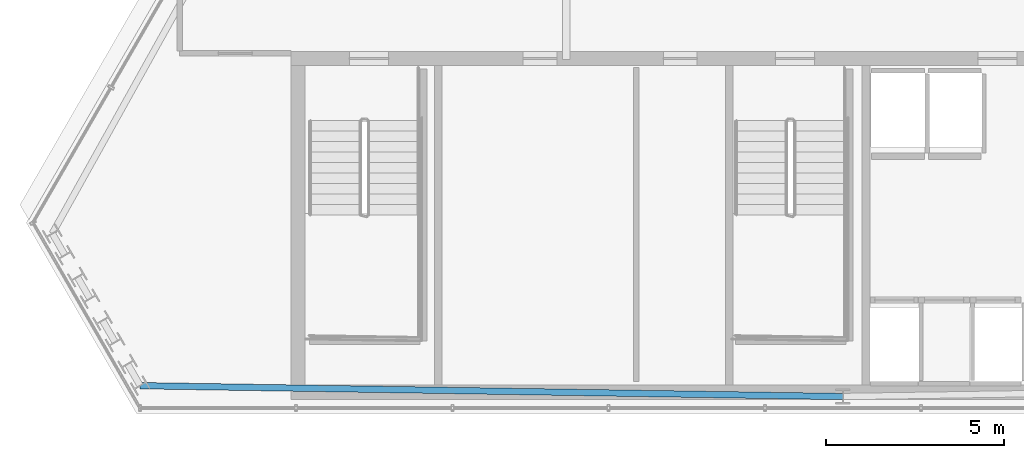
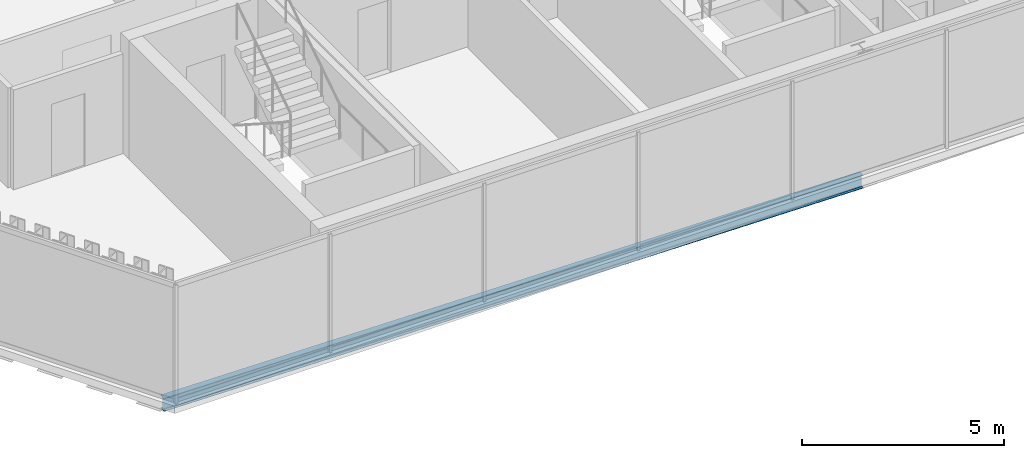
# One storey, part 4 of 32: 1 beam.
"""IFC4 building model written with IfcOpenShell, lengths in metres."""

from ifc_helpers import new_model, si_unit, direction, frame, origin, origin_2d, place, context, subcontext, project, spatial, i_section, extrude, material, material_profile, profile_set, type_object, element, save


model = new_model("IFC4")

# Units and contexts
model_context = context("Model", 3, precision=1e-05, world=origin(), true_north=direction((0.0, 1.0)))
body_context = subcontext(model_context, "Body", "Model", "MODEL_VIEW")
ifc_project = project(units=[si_unit("LENGTHUNIT", "METRE"), si_unit("AREAUNIT", "SQUARE_METRE"), si_unit("VOLUMEUNIT", "CUBIC_METRE"), si_unit("PLANEANGLEUNIT", "RADIAN"), si_unit("MASSUNIT", "GRAM", prefix="KILO")], contexts=[model_context])

# Site, building, storey
site_placement = place(None, origin())
site = spatial("IfcSite", under=ifc_project, at=site_placement, CompositionType="ELEMENT")
building_placement = place(site_placement, origin())
building = spatial("IfcBuilding", under=site, at=building_placement, Name="Ndaravel Arena Tower", CompositionType="ELEMENT")
storey_placement = place(building_placement, frame((0.0, 0.0, 252.199951171875)))
storey = spatial("IfcBuildingStorey", under=building, at=storey_placement, Name="L61", CompositionType="ELEMENT", Elevation=252.199951171875)

# Beam
ifc_material = material(Name="Steel S355", Category="steel")
ifc_material_profile = material_profile(ifc_material, i_section(OverallWidth=0.179931640625, OverallDepth=0.39990234375, WebThickness=0.008544921875, FlangeThickness=0.013427734375, FilletRadius=0.02099609375, at=origin_2d()), Name="IPE 400")
ifc_profile_set = profile_set([ifc_material_profile], Name="Steel S355")
beam_type = type_object("IfcBeamType", Name="BM-SPAN-IPE400", PredefinedType="SPANDREL", material=ifc_profile_set)
beam_placement = place(storey_placement, frame((22.205078125, 5.7861328125, -0.419921875), z_axis=(0.999880419685, -0.015464356762, 0.0), x_axis=(0.015464356762, 0.999880419685, 0.0)))
element("IfcBeam", 1, at=beam_placement, inside=storey, type_object=beam_type, Name="L61 Perimeter Spandrel Beam SP-27", PredefinedType="SPANDREL", context=body_context, shape_type="SweptSolid", body=[
    extrude(i_section(OverallWidth=0.179931640625, OverallDepth=0.39990234375, WebThickness=0.008544921875, FlangeThickness=0.013427734375, FilletRadius=0.02099609375, at=origin_2d()), origin(), (0.0, 0.0, 1.0), 19.79736328125),
])

save(model, "model.ifc")
